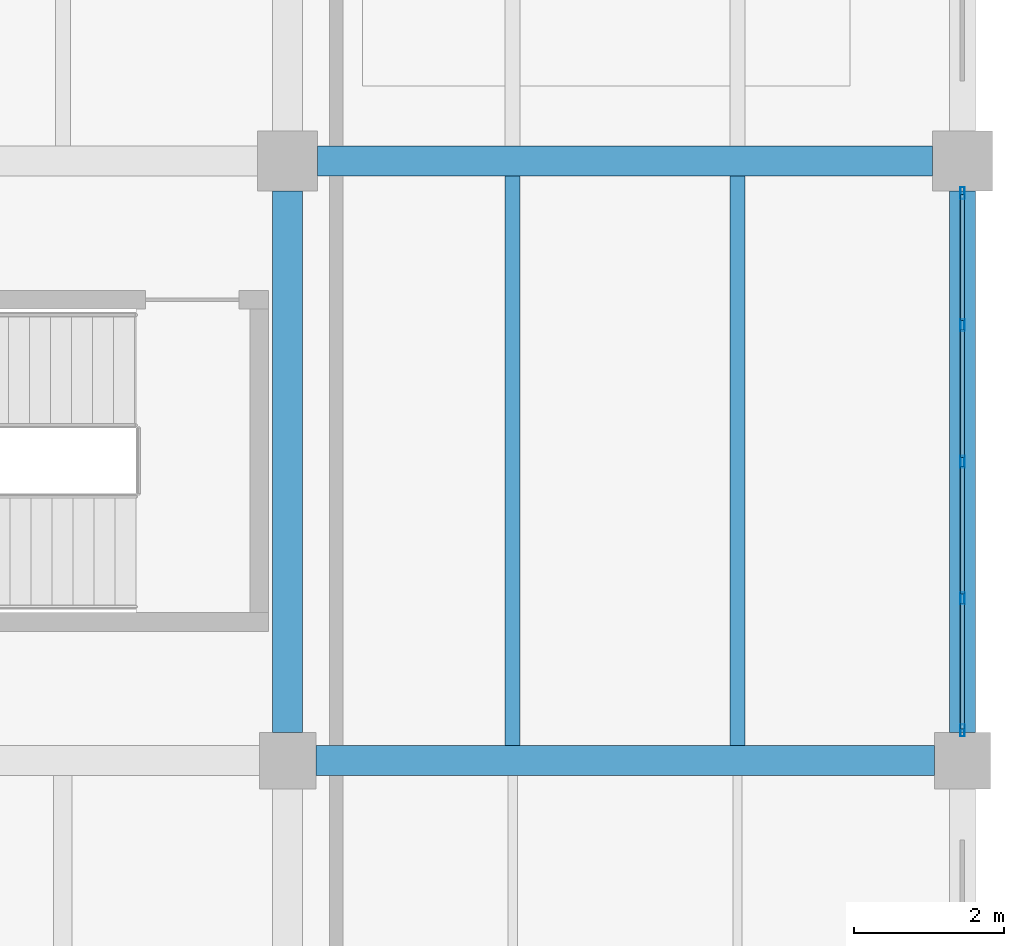
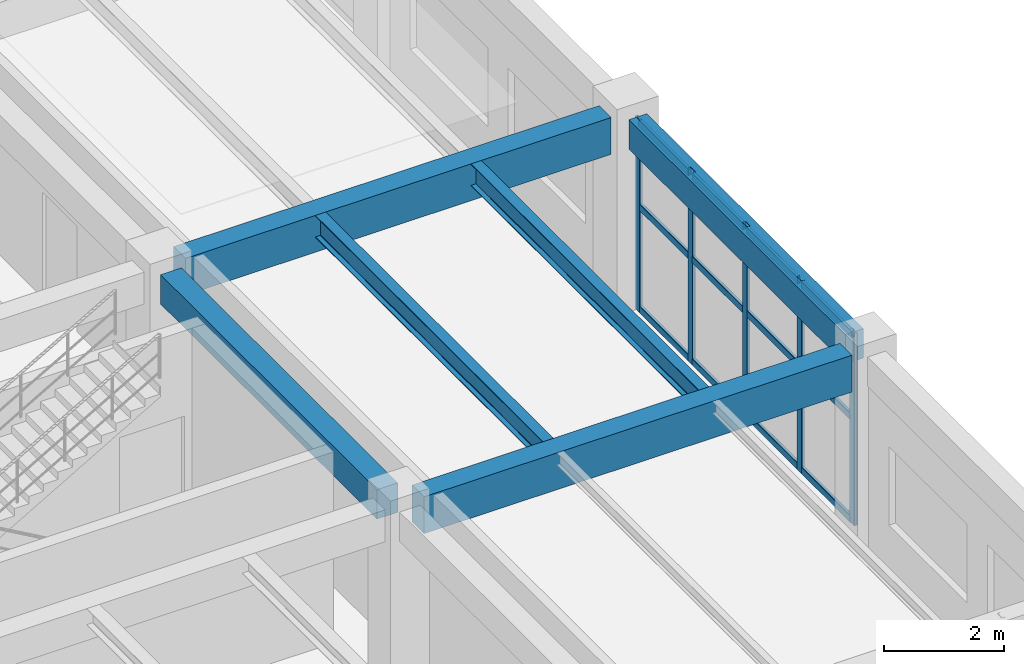
# One storey, part 92 of 148: 17 members, 6 beams, 1 element without a shape of its own.
"""IFC4 building model written with IfcOpenShell, lengths in metres."""

from ifc_helpers import new_model, si_unit, derived_unit, direction, frame, origin, origin_2d, place, context, subcontext, project, spatial, rectangle, hollow_rectangle, i_section, extrude, material, material_profile, profile_set, type_object, element, aggregate, save


model = new_model("IFC4")

# Units and contexts
model_context = context("Model", 3, precision=1e-05, world=origin(), true_north=direction((0.0, 1.0)))
body_context = subcontext(model_context, "Body", "Model", "MODEL_VIEW")
ifc_project = project(units=[si_unit("LENGTHUNIT", "METRE"), si_unit("AREAUNIT", "SQUARE_METRE"), si_unit("VOLUMEUNIT", "CUBIC_METRE"), si_unit("PLANEANGLEUNIT", "RADIAN"), si_unit("MASSUNIT", "GRAM", prefix="KILO"), derived_unit("THERMALTRANSMITTANCEUNIT", [(si_unit("MASSUNIT", "GRAM", prefix="KILO"), 1), (si_unit("TIMEUNIT", "SECOND"), -3), (si_unit("THERMODYNAMICTEMPERATUREUNIT", "KELVIN"), -1)])], contexts=[model_context])

# Site, building, storey
site_placement = place(None, origin())
site = spatial("IfcSite", under=ifc_project, at=site_placement, CompositionType="ELEMENT")
building_placement = place(site_placement, origin())
building = spatial("IfcBuilding", under=site, at=building_placement, Name="Zhenchuan Archway Interchange", CompositionType="ELEMENT")
storey_placement = place(building_placement, frame((0.0, 0.0, 10.199951171875)))
storey = spatial("IfcBuildingStorey", under=building, at=storey_placement, Name="L02", CompositionType="ELEMENT", Elevation=10.199951171875)

# Beams
ifc_material_1 = material(Name="Concrete C40", Category="concrete")
ifc_material_profile_1 = material_profile(ifc_material_1, rectangle(XDim=0.39990234375, YDim=0.60009765625, at=origin_2d()), Name="RC 400x600")
ifc_profile_set_1 = profile_set([ifc_material_profile_1], Name="Concrete C40")
beam_type_1 = type_object("IfcBeamType", Name="BM_RC_400x600", PredefinedType="BEAM", material=ifc_profile_set_1)
beam_1_placement = place(storey_placement, frame((162.0, 16.375, 3.6201171875), z_axis=(0.0, 1.0, 0.0), x_axis=(-1.0, 0.0, 0.0)))
element("IfcBeam", 1, at=beam_1_placement, inside=storey, type_object=beam_type_1, Name="Beam 19:C-D (L02)", PredefinedType="BEAM", context=body_context, shape_type="SweptSolid", body=[
    extrude(rectangle(XDim=0.39990234375, YDim=0.60009765625, at=origin_2d()), origin(), (0.0, 0.0, 1.0), 7.22509765625),
])
ifc_material_profile_2 = material_profile(ifc_material_1, rectangle(XDim=0.39990234375, YDim=0.75, at=origin_2d()), Name="RC 400x750")
ifc_profile_set_2 = profile_set([ifc_material_profile_2], Name="Concrete C40")
beam_type_2 = type_object("IfcBeamType", Name="BM_RC_400x750", PredefinedType="BEAM", material=ifc_profile_set_2)
beam_2_placement = place(storey_placement, frame((162.375, 16.0, 3.545166015625), z_axis=(1.0, 0.0, 0.0), x_axis=(0.0, 1.0, 0.0)))
element("IfcBeam", 2, at=beam_2_placement, inside=storey, type_object=beam_type_2, Name="Beam C:19-20 (L02)", PredefinedType="BEAM", context=body_context, shape_type="SweptSolid", body=[
    extrude(rectangle(XDim=0.39990234375, YDim=0.75, at=origin_2d()), origin(), (0.0, 0.0, 1.0), 8.25),
])
beam_3_placement = place(storey_placement, frame((162.39990234375, 24.0, 3.545166015625), z_axis=(1.0, 0.0, 0.0), x_axis=(0.0, 1.0, 0.0)))
element("IfcBeam", 3, at=beam_3_placement, inside=storey, type_object=beam_type_2, Name="Beam D:19-20 (L02)", PredefinedType="BEAM", context=body_context, shape_type="SweptSolid", body=[
    extrude(rectangle(XDim=0.39990234375, YDim=0.75, at=origin_2d()), origin(), (0.0, 0.0, 1.0), 8.2001953125),
])

# Curtain wall, members
ifc_material_2 = material(Name="Anodised Aluminium", Category="aluminium")
curtain_wall_type = type_object("IfcCurtainWallType", Name="CW_UNIT_4", PredefinedType="NOTDEFINED", material=ifc_material_2)
curtain_wall_placement = place(storey_placement, origin())
curtain_wall = element("IfcCurtainWall", 4, at=curtain_wall_placement, inside=storey, type_object=curtain_wall_type, Name="Unitised curtain wall CW:L02:155", PredefinedType="NOTDEFINED")
ifc_material_profile_3 = material_profile(ifc_material_2, hollow_rectangle(XDim=0.06005859375, YDim=0.159912109375, WallThickness=0.00390625, InnerFilletRadius=0.00390625, OuterFilletRadius=0.008056640625, at=origin_2d()), Name="ALU 160x60x4")
ifc_profile_set_3 = profile_set([ifc_material_profile_3], Name="Anodised Aluminium")
member_type_1 = type_object("IfcMemberType", Name="CW_MUL_150", PredefinedType="MULLION", material=ifc_profile_set_3)
member_1_placement = place(storey_placement, frame((171.0, 23.572021484375, 0.0), z_axis=(0.0, 0.0, 1.0), x_axis=(1.0, 0.0, 0.0)))
member_1 = element("IfcMember", 5, at=member_1_placement, type_object=member_type_1, Name="CW:L02:155 mullion 0", PredefinedType="MULLION", context=body_context, shape_type="SweptSolid", body=[
    extrude(hollow_rectangle(XDim=0.06005859375, YDim=0.159912109375, WallThickness=0.00390625, InnerFilletRadius=0.00390625, OuterFilletRadius=0.008056640625, at=origin_2d()), origin(), (0.0, 0.0, 1.0), 3.920166015625),
])
member_2_placement = place(storey_placement, frame((171.0, 21.809814453125, 0.0), z_axis=(0.0, 0.0, 1.0), x_axis=(1.0, 0.0, 0.0)))
member_2 = element("IfcMember", 6, at=member_2_placement, type_object=member_type_1, Name="CW:L02:155 mullion 1", PredefinedType="MULLION", context=body_context, shape_type="SweptSolid", body=[
    extrude(hollow_rectangle(XDim=0.06005859375, YDim=0.159912109375, WallThickness=0.00390625, InnerFilletRadius=0.00390625, OuterFilletRadius=0.008056640625, at=origin_2d()), origin(), (0.0, 0.0, 1.0), 3.920166015625),
])
member_3_placement = place(storey_placement, frame((171.0, 19.987548828125, 0.0), z_axis=(0.0, 0.0, 1.0), x_axis=(1.0, 0.0, 0.0)))
member_3 = element("IfcMember", 7, at=member_3_placement, type_object=member_type_1, Name="CW:L02:155 mullion 2", PredefinedType="MULLION", context=body_context, shape_type="SweptSolid", body=[
    extrude(hollow_rectangle(XDim=0.06005859375, YDim=0.159912109375, WallThickness=0.00390625, InnerFilletRadius=0.00390625, OuterFilletRadius=0.008056640625, at=origin_2d()), origin(), (0.0, 0.0, 1.0), 3.920166015625),
])
member_4_placement = place(storey_placement, frame((171.0, 18.165283203125, 0.0), z_axis=(0.0, 0.0, 1.0), x_axis=(1.0, 0.0, 0.0)))
member_4 = element("IfcMember", 8, at=member_4_placement, type_object=member_type_1, Name="CW:L02:155 mullion 3", PredefinedType="MULLION", context=body_context, shape_type="SweptSolid", body=[
    extrude(hollow_rectangle(XDim=0.06005859375, YDim=0.159912109375, WallThickness=0.00390625, InnerFilletRadius=0.00390625, OuterFilletRadius=0.008056640625, at=origin_2d()), origin(), (0.0, 0.0, 1.0), 3.920166015625),
])
member_5_placement = place(storey_placement, frame((171.0, 16.403076171875, 0.0), z_axis=(0.0, 0.0, 1.0), x_axis=(1.0, 0.0, 0.0)))
member_5 = element("IfcMember", 9, at=member_5_placement, type_object=member_type_1, Name="CW:L02:155 mullion 4", PredefinedType="MULLION", context=body_context, shape_type="SweptSolid", body=[
    extrude(hollow_rectangle(XDim=0.06005859375, YDim=0.159912109375, WallThickness=0.00390625, InnerFilletRadius=0.00390625, OuterFilletRadius=0.008056640625, at=origin_2d()), origin(), (0.0, 0.0, 1.0), 3.920166015625),
])
ifc_material_profile_4 = material_profile(ifc_material_2, hollow_rectangle(XDim=0.06005859375, YDim=0.139892578125, WallThickness=0.00341796875, InnerFilletRadius=0.00341796875, OuterFilletRadius=0.007080078125, at=origin_2d()), Name="ALU 140x60x3.5")
ifc_profile_set_4 = profile_set([ifc_material_profile_4], Name="Anodised Aluminium")
member_type_2 = type_object("IfcMemberType", Name="CW_TRN_140", PredefinedType="USERDEFINED", material=ifc_profile_set_4)
member_6_placement = place(storey_placement, frame((171.0, 23.552001953125, 0.06005859375), z_axis=(0.0, -1.0, 0.0), x_axis=(1.0, 0.0, 0.0)))
member_6 = element("IfcMember", 10, at=member_6_placement, type_object=member_type_2, Name="CW:L02:155 transom 0-1", ObjectType="TRANSOM", PredefinedType="USERDEFINED", context=body_context, shape_type="SweptSolid", body=[
    extrude(hollow_rectangle(XDim=0.06005859375, YDim=0.139892578125, WallThickness=0.00341796875, InnerFilletRadius=0.00341796875, OuterFilletRadius=0.007080078125, at=origin_2d()), origin(), (0.0, 0.0, 1.0), 1.682373046875),
])
member_7_placement = place(storey_placement, frame((171.0, 23.552001953125, 2.14501953125), z_axis=(0.0, -1.0, 0.0), x_axis=(1.0, 0.0, 0.0)))
member_7 = element("IfcMember", 11, at=member_7_placement, type_object=member_type_2, Name="CW:L02:155 transom 0-2", ObjectType="TRANSOM", PredefinedType="USERDEFINED", context=body_context, shape_type="SweptSolid", body=[
    extrude(hollow_rectangle(XDim=0.06005859375, YDim=0.139892578125, WallThickness=0.00341796875, InnerFilletRadius=0.00341796875, OuterFilletRadius=0.007080078125, at=origin_2d()), origin(), (0.0, 0.0, 1.0), 1.682373046875),
])
member_8_placement = place(storey_placement, frame((171.0, 23.552001953125, 3.840087890625), z_axis=(0.0, -1.0, 0.0), x_axis=(1.0, 0.0, 0.0)))
member_8 = element("IfcMember", 12, at=member_8_placement, type_object=member_type_2, Name="CW:L02:155 transom 0-3", ObjectType="TRANSOM", PredefinedType="USERDEFINED", context=body_context, shape_type="SweptSolid", body=[
    extrude(hollow_rectangle(XDim=0.06005859375, YDim=0.139892578125, WallThickness=0.00341796875, InnerFilletRadius=0.00341796875, OuterFilletRadius=0.007080078125, at=origin_2d()), origin(), (0.0, 0.0, 1.0), 1.682373046875),
])
member_9_placement = place(storey_placement, frame((171.0, 21.749755859375, 0.06005859375), z_axis=(0.0, -1.0, 0.0), x_axis=(1.0, 0.0, 0.0)))
member_9 = element("IfcMember", 13, at=member_9_placement, type_object=member_type_2, Name="CW:L02:155 transom 1-1", ObjectType="TRANSOM", PredefinedType="USERDEFINED", context=body_context, shape_type="SweptSolid", body=[
    extrude(hollow_rectangle(XDim=0.06005859375, YDim=0.139892578125, WallThickness=0.00341796875, InnerFilletRadius=0.00341796875, OuterFilletRadius=0.007080078125, at=origin_2d()), origin(), (0.0, 0.0, 1.0), 1.7021484375),
])
member_10_placement = place(storey_placement, frame((171.0, 21.749755859375, 2.14501953125), z_axis=(0.0, -1.0, 0.0), x_axis=(1.0, 0.0, 0.0)))
member_10 = element("IfcMember", 14, at=member_10_placement, type_object=member_type_2, Name="CW:L02:155 transom 1-2", ObjectType="TRANSOM", PredefinedType="USERDEFINED", context=body_context, shape_type="SweptSolid", body=[
    extrude(hollow_rectangle(XDim=0.06005859375, YDim=0.139892578125, WallThickness=0.00341796875, InnerFilletRadius=0.00341796875, OuterFilletRadius=0.007080078125, at=origin_2d()), origin(), (0.0, 0.0, 1.0), 1.7021484375),
])
member_11_placement = place(storey_placement, frame((171.0, 21.749755859375, 3.840087890625), z_axis=(0.0, -1.0, 0.0), x_axis=(1.0, 0.0, 0.0)))
member_11 = element("IfcMember", 15, at=member_11_placement, type_object=member_type_2, Name="CW:L02:155 transom 1-3", ObjectType="TRANSOM", PredefinedType="USERDEFINED", context=body_context, shape_type="SweptSolid", body=[
    extrude(hollow_rectangle(XDim=0.06005859375, YDim=0.139892578125, WallThickness=0.00341796875, InnerFilletRadius=0.00341796875, OuterFilletRadius=0.007080078125, at=origin_2d()), origin(), (0.0, 0.0, 1.0), 1.7021484375),
])
member_12_placement = place(storey_placement, frame((171.0, 19.927490234375, 0.06005859375), z_axis=(0.0, -1.0, 0.0), x_axis=(1.0, 0.0, 0.0)))
member_12 = element("IfcMember", 16, at=member_12_placement, type_object=member_type_2, Name="CW:L02:155 transom 2-1", ObjectType="TRANSOM", PredefinedType="USERDEFINED", context=body_context, shape_type="SweptSolid", body=[
    extrude(hollow_rectangle(XDim=0.06005859375, YDim=0.139892578125, WallThickness=0.00341796875, InnerFilletRadius=0.00341796875, OuterFilletRadius=0.007080078125, at=origin_2d()), origin(), (0.0, 0.0, 1.0), 1.702392578125),
])
member_13_placement = place(storey_placement, frame((171.0, 19.927490234375, 2.14501953125), z_axis=(0.0, -1.0, 0.0), x_axis=(1.0, 0.0, 0.0)))
member_13 = element("IfcMember", 17, at=member_13_placement, type_object=member_type_2, Name="CW:L02:155 transom 2-2", ObjectType="TRANSOM", PredefinedType="USERDEFINED", context=body_context, shape_type="SweptSolid", body=[
    extrude(hollow_rectangle(XDim=0.06005859375, YDim=0.139892578125, WallThickness=0.00341796875, InnerFilletRadius=0.00341796875, OuterFilletRadius=0.007080078125, at=origin_2d()), origin(), (0.0, 0.0, 1.0), 1.702392578125),
])
member_14_placement = place(storey_placement, frame((171.0, 19.927490234375, 3.840087890625), z_axis=(0.0, -1.0, 0.0), x_axis=(1.0, 0.0, 0.0)))
member_14 = element("IfcMember", 18, at=member_14_placement, type_object=member_type_2, Name="CW:L02:155 transom 2-3", ObjectType="TRANSOM", PredefinedType="USERDEFINED", context=body_context, shape_type="SweptSolid", body=[
    extrude(hollow_rectangle(XDim=0.06005859375, YDim=0.139892578125, WallThickness=0.00341796875, InnerFilletRadius=0.00341796875, OuterFilletRadius=0.007080078125, at=origin_2d()), origin(), (0.0, 0.0, 1.0), 1.702392578125),
])
member_15_placement = place(storey_placement, frame((171.0, 18.105224609375, 0.06005859375), z_axis=(0.0, -1.0, 0.0), x_axis=(1.0, 0.0, 0.0)))
member_15 = element("IfcMember", 19, at=member_15_placement, type_object=member_type_2, Name="CW:L02:155 transom 3-1", ObjectType="TRANSOM", PredefinedType="USERDEFINED", context=body_context, shape_type="SweptSolid", body=[
    extrude(hollow_rectangle(XDim=0.06005859375, YDim=0.139892578125, WallThickness=0.00341796875, InnerFilletRadius=0.00341796875, OuterFilletRadius=0.007080078125, at=origin_2d()), origin(), (0.0, 0.0, 1.0), 1.68212890625),
])
member_16_placement = place(storey_placement, frame((171.0, 18.105224609375, 2.14501953125), z_axis=(0.0, -1.0, 0.0), x_axis=(1.0, 0.0, 0.0)))
member_16 = element("IfcMember", 20, at=member_16_placement, type_object=member_type_2, Name="CW:L02:155 transom 3-2", ObjectType="TRANSOM", PredefinedType="USERDEFINED", context=body_context, shape_type="SweptSolid", body=[
    extrude(hollow_rectangle(XDim=0.06005859375, YDim=0.139892578125, WallThickness=0.00341796875, InnerFilletRadius=0.00341796875, OuterFilletRadius=0.007080078125, at=origin_2d()), origin(), (0.0, 0.0, 1.0), 1.68212890625),
])
member_17_placement = place(storey_placement, frame((171.0, 18.105224609375, 3.840087890625), z_axis=(0.0, -1.0, 0.0), x_axis=(1.0, 0.0, 0.0)))
member_17 = element("IfcMember", 21, at=member_17_placement, type_object=member_type_2, Name="CW:L02:155 transom 3-3", ObjectType="TRANSOM", PredefinedType="USERDEFINED", context=body_context, shape_type="SweptSolid", body=[
    extrude(hollow_rectangle(XDim=0.06005859375, YDim=0.139892578125, WallThickness=0.00341796875, InnerFilletRadius=0.00341796875, OuterFilletRadius=0.007080078125, at=origin_2d()), origin(), (0.0, 0.0, 1.0), 1.68212890625),
])
aggregate(curtain_wall, [member_1, member_2, member_3, member_4, member_5, member_6, member_7, member_8, member_9, member_10, member_11, member_12, member_13, member_14, member_15, member_16, member_17])

# Beams
ifc_material_3 = material(Name="Steel Q355", Category="steel")
ifc_material_profile_5 = material_profile(ifc_material_3, i_section(OverallWidth=0.199951171875, OverallDepth=0.449951171875, WebThickness=0.009033203125, FlangeThickness=0.013916015625, FilletRadius=0.01806640625, at=origin_2d()), Name="HN 450x200")
ifc_profile_set_5 = profile_set([ifc_material_profile_5], Name="Steel Q355")
beam_type_3 = type_object("IfcBeamType", Name="JST_STL_HN450", PredefinedType="JOIST", material=ifc_profile_set_5)
for number, where, z_axis, x_axis, name in (
    (22, (165.0, 16.199951171875, 3.695068359375), (0.0, 1.0, 0.0), (-1.0, 0.0, 0.0), "Secondary joist 19-20/C-D #1 (L02)"),
    (23, (168.0, 16.199951171875, 3.695068359375), (0.0, 1.0, 0.0), (-1.0, 0.0, 0.0), "Secondary joist 19-20/C-D #2 (L02)"),
):
    element("IfcBeam", number, at=place(storey_placement, frame(where, z_axis=z_axis, x_axis=x_axis)), inside=storey, type_object=beam_type_3, Name=name, PredefinedType="JOIST", context=body_context, shape_type="SweptSolid", body=[
        extrude(i_section(OverallWidth=0.199951171875, OverallDepth=0.449951171875, WebThickness=0.009033203125, FlangeThickness=0.013916015625, FilletRadius=0.01806640625, at=origin_2d()), origin(), (0.0, 0.0, 1.0), 7.60009765625),
    ])
ifc_material_profile_6 = material_profile(ifc_material_1, rectangle(XDim=0.35009765625, YDim=0.60009765625, at=origin_2d()), Name="RC 350x600")
ifc_profile_set_6 = profile_set([ifc_material_profile_6], Name="Concrete C40")
beam_type_4 = type_object("IfcBeamType", Name="SP_RC_350x600", PredefinedType="SPANDREL", material=ifc_profile_set_6)
beam_4_placement = place(storey_placement, frame((171.0, 16.375, 3.6201171875), z_axis=(0.0, 1.0, 0.0), x_axis=(-1.0, 0.0, 0.0)))
element("IfcBeam", 24, at=beam_4_placement, inside=storey, type_object=beam_type_4, Name="Beam 20:C-D (L02)", PredefinedType="SPANDREL", context=body_context, shape_type="SweptSolid", body=[
    extrude(rectangle(XDim=0.35009765625, YDim=0.60009765625, at=origin_2d()), origin(), (0.0, 0.0, 1.0), 7.22509765625),
])

save(model, "model.ifc")
